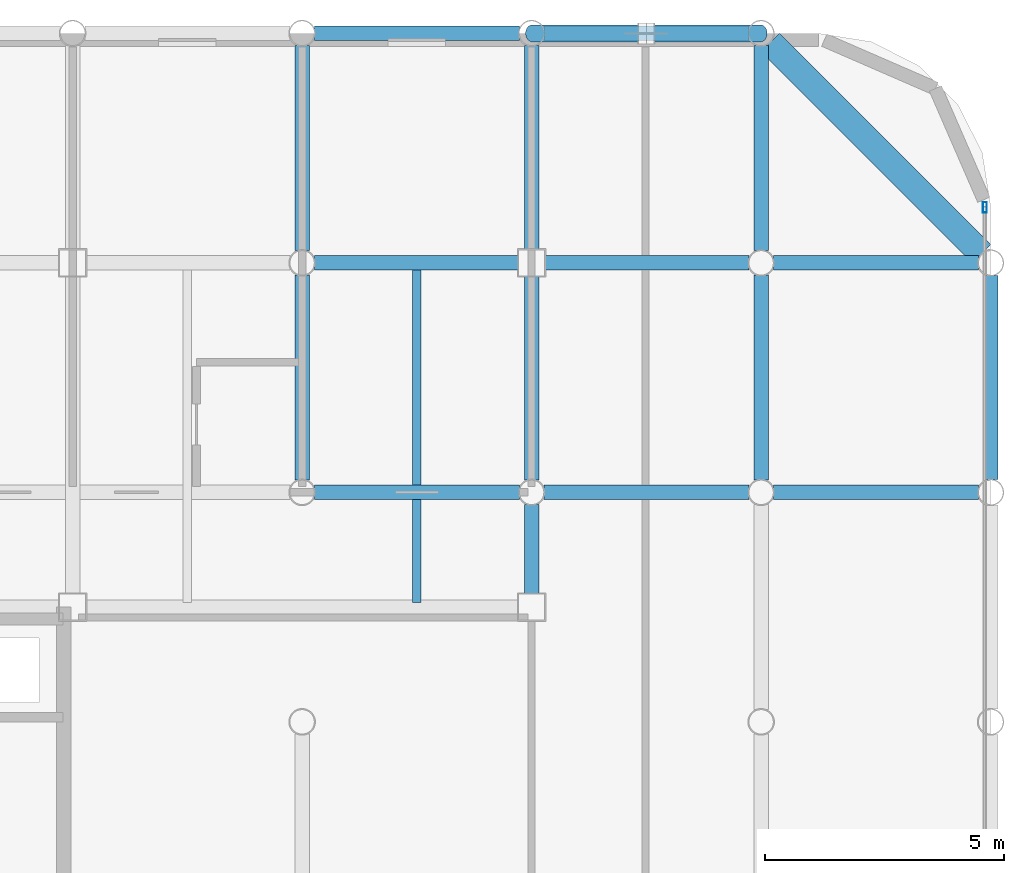
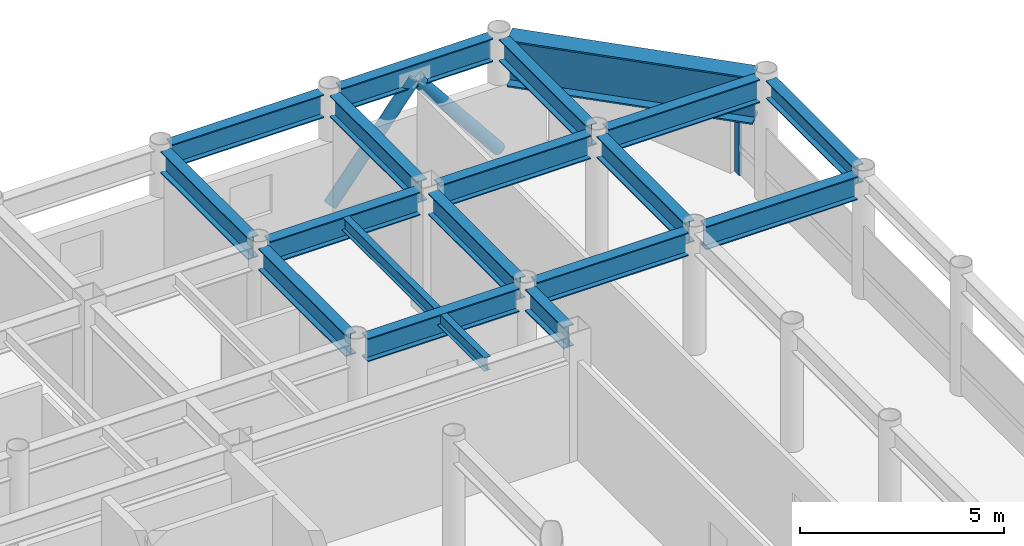
# One storey, part 15 of 21: 18 beams, 3 members, 1 element without a shape of its own.
"""IFC4 building model written with IfcOpenShell, lengths in metres."""

from ifc_helpers import new_model, si_unit, direction, frame, origin, origin_2d, place, context, subcontext, project, spatial, hollow_rectangle, hollow_circle, i_section, extrude, material, layer, layer_set, material_profile, profile_set, type_object, element, aggregate, save


model = new_model("IFC4")

# Units and contexts
model_context = context("Model", 3, precision=1e-05, world=origin(), true_north=direction((0.0, 1.0)))
body_context = subcontext(model_context, "Body", "Model", "MODEL_VIEW")
ifc_project = project(units=[si_unit("LENGTHUNIT", "METRE"), si_unit("AREAUNIT", "SQUARE_METRE"), si_unit("VOLUMEUNIT", "CUBIC_METRE"), si_unit("PLANEANGLEUNIT", "RADIAN"), si_unit("MASSUNIT", "GRAM", prefix="KILO")], contexts=[model_context])

# Site, building, storey
site_placement = place(None, origin())
site = spatial("IfcSite", under=ifc_project, at=site_placement, CompositionType="ELEMENT")
building_placement = place(site_placement, origin())
building = spatial("IfcBuilding", under=site, at=building_placement, Name="Kallvorn Hotel Tower", CompositionType="ELEMENT")
storey_placement = place(building_placement, frame((0.0, 0.0, 210.75)))
storey = spatial("IfcBuildingStorey", under=building, at=storey_placement, Name="L52", CompositionType="ELEMENT", Elevation=210.75)

# Beams
ifc_material_1 = material(Name="Structural steel S355JR", Category="steel")
ifc_material_profile_1 = material_profile(ifc_material_1, i_section(OverallWidth=0.300048828125, OverallDepth=0.550048828125, WebThickness=0.014892578125, FlangeThickness=0.029052734375, at=origin_2d()), Name="HE 550 B")
ifc_profile_set_1 = profile_set([ifc_material_profile_1], Name="Structural steel S355JR")
beam_type_1 = type_object("IfcBeamType", Name="BM_HE550B", PredefinedType="SPANDREL", material=ifc_profile_set_1)
beam_1_placement = place(storey_placement, frame((33.60009765625, 9.869384765625, 3.39501953125), z_axis=(0.0, 1.0, 0.0), x_axis=(-1.0, 0.0, 0.0)))
element("IfcBeam", 1, at=beam_1_placement, inside=storey, type_object=beam_type_1, Name="L53 Perimeter Spandrel 188", PredefinedType="SPANDREL", context=body_context, shape_type="SweptSolid", body=[
    extrude(i_section(OverallWidth=0.300048828125, OverallDepth=0.550048828125, WebThickness=0.014892578125, FlangeThickness=0.029052734375, at=origin_2d()), origin(), (0.0, 0.0, 1.0), 4.26123046875),
])
ifc_material_2 = material(Name="Structural steel S355JR", Category="steel")
ifc_material_profile_2 = material_profile(ifc_material_2, i_section(OverallWidth=0.300048828125, OverallDepth=0.64990234375, WebThickness=0.01611328125, FlangeThickness=0.031005859375, at=origin_2d()), Name="HE 650 B")
ifc_profile_set_2 = profile_set([ifc_material_profile_2], Name="Structural steel S355JR")
beam_type_2 = type_object("IfcBeamType", Name="BM_HE650B", PredefinedType="BEAM", material=ifc_profile_set_2)
for number, where, z_axis, x_axis, name in (
    (2, (19.199951171875, 9.8544921875, 3.344970703125), (0.0, 1.0, 0.0), (-1.0, 0.0, 0.0), "L53 Primary Y-Girder 133"),
    (3, (19.199951171875, 14.654541015625, 3.344970703125), (0.0, 1.0, 0.0), (-1.0, 0.0, 0.0), "L53 Primary Y-Girder 134"),
):
    element("IfcBeam", number, at=place(storey_placement, frame(where, z_axis=z_axis, x_axis=x_axis)), inside=storey, type_object=beam_type_2, Name=name, PredefinedType="BEAM", context=body_context, shape_type="SweptSolid", body=[
        extrude(i_section(OverallWidth=0.300048828125, OverallDepth=0.64990234375, WebThickness=0.01611328125, FlangeThickness=0.031005859375, at=origin_2d()), origin(), (0.0, 0.0, 1.0), 4.291015625),
    ])
beam_2_placement = place(storey_placement, frame((24.0, 7.47509765625, 3.344970703125), z_axis=(0.0, 1.0, 0.0), x_axis=(-1.0, 0.0, 0.0)))
element("IfcBeam", 4, at=beam_2_placement, inside=storey, type_object=beam_type_2, Name="L53 Primary Y-Girder 139", PredefinedType="BEAM", context=body_context, shape_type="SweptSolid", body=[
    extrude(i_section(OverallWidth=0.300048828125, OverallDepth=0.64990234375, WebThickness=0.01611328125, FlangeThickness=0.031005859375, at=origin_2d()), origin(), (0.0, 0.0, 1.0), 1.870361328125),
])
for number, where, z_axis, x_axis, name in (
    (5, (24.0, 9.8544921875, 3.344970703125), (0.0, 1.0, 0.0), (-1.0, 0.0, 0.0), "L53 Primary Y-Girder 140"),
    (6, (24.0, 14.675048828125, 3.344970703125), (0.0, 1.0, 0.0), (-1.0, 0.0, 0.0), "L53 Primary Y-Girder 141"),
):
    element("IfcBeam", number, at=place(storey_placement, frame(where, z_axis=z_axis, x_axis=x_axis)), inside=storey, type_object=beam_type_2, Name=name, PredefinedType="BEAM", context=body_context, shape_type="SweptSolid", body=[
        extrude(i_section(OverallWidth=0.300048828125, OverallDepth=0.64990234375, WebThickness=0.01611328125, FlangeThickness=0.031005859375, at=origin_2d()), origin(), (0.0, 0.0, 1.0), 4.2705078125),
    ])
for number, where, z_axis, x_axis, name in (
    (7, (28.800048828125, 9.8544921875, 3.344970703125), (0.0, 1.0, 0.0), (-1.0, 0.0, 0.0), "L53 Primary Y-Girder 149"),
    (8, (28.800048828125, 14.654541015625, 3.344970703125), (0.0, 1.0, 0.0), (-1.0, 0.0, 0.0), "L53 Primary Y-Girder 150"),
):
    element("IfcBeam", number, at=place(storey_placement, frame(where, z_axis=z_axis, x_axis=x_axis)), inside=storey, type_object=beam_type_2, Name=name, PredefinedType="BEAM", context=body_context, shape_type="SweptSolid", body=[
        extrude(i_section(OverallWidth=0.300048828125, OverallDepth=0.64990234375, WebThickness=0.01611328125, FlangeThickness=0.031005859375, at=origin_2d()), origin(), (0.0, 0.0, 1.0), 4.291015625),
    ])
ifc_material_3 = material(Name="Structural steel S355JR", Category="steel")
ifc_material_profile_3 = material_profile(ifc_material_3, i_section(OverallWidth=0.300048828125, OverallDepth=0.699951171875, WebThickness=0.01708984375, FlangeThickness=0.031982421875, at=origin_2d()), Name="HE 700 B")
ifc_profile_set_3 = profile_set([ifc_material_profile_3], Name="Structural steel S355JR")
beam_type_3 = type_object("IfcBeamType", Name="BM_HE700B", PredefinedType="BEAM", material=ifc_profile_set_3)
for number, where, z_axis, x_axis, name in (
    (9, (19.45458984375, 9.60009765625, 3.320068359375), (1.0, 0.0, 0.0), (0.0, 1.0, 0.0), "L53 Primary X-Girder 48"),
    (10, (24.25439453125, 9.60009765625, 3.320068359375), (1.0, 0.0, 0.0), (0.0, 1.0, 0.0), "L53 Primary X-Girder 49"),
    (11, (29.054443359375, 9.60009765625, 3.320068359375), (1.0, 0.0, 0.0), (0.0, 1.0, 0.0), "L53 Primary X-Girder 50"),
):
    element("IfcBeam", number, at=place(storey_placement, frame(where, z_axis=z_axis, x_axis=x_axis)), inside=storey, type_object=beam_type_3, Name=name, PredefinedType="BEAM", context=body_context, shape_type="SweptSolid", body=[
        extrude(i_section(OverallWidth=0.300048828125, OverallDepth=0.699951171875, WebThickness=0.01708984375, FlangeThickness=0.031982421875, at=origin_2d()), origin(), (0.0, 0.0, 1.0), 4.291015625),
    ])
for number, where, z_axis, x_axis, name in (
    (12, (19.45458984375, 14.39990234375, 3.320068359375), (1.0, 0.0, 0.0), (0.0, 1.0, 0.0), "L53 Primary X-Girder 58"),
    (13, (24.27490234375, 14.39990234375, 3.320068359375), (1.0, 0.0, 0.0), (0.0, 1.0, 0.0), "L53 Primary X-Girder 59"),
):
    element("IfcBeam", number, at=place(storey_placement, frame(where, z_axis=z_axis, x_axis=x_axis)), inside=storey, type_object=beam_type_3, Name=name, PredefinedType="BEAM", context=body_context, shape_type="SweptSolid", body=[
        extrude(i_section(OverallWidth=0.300048828125, OverallDepth=0.699951171875, WebThickness=0.01708984375, FlangeThickness=0.031982421875, at=origin_2d()), origin(), (0.0, 0.0, 1.0), 4.2705078125),
    ])
for number, where, z_axis, x_axis, name in (
    (14, (29.054443359375, 14.39990234375, 3.320068359375), (1.0, 0.0, 0.0), (0.0, 1.0, 0.0), "L53 Primary X-Girder 60"),
    (15, (19.45458984375, 19.199951171875, 3.320068359375), (1.0, 0.0, 0.0), (0.0, 1.0, 0.0), "L53 Primary X-Girder 71"),
    (16, (24.25439453125, 19.199951171875, 3.320068359375), (1.0, 0.0, 0.0), (0.0, 1.0, 0.0), "L53 Primary X-Girder 72"),
):
    element("IfcBeam", number, at=place(storey_placement, frame(where, z_axis=z_axis, x_axis=x_axis)), inside=storey, type_object=beam_type_3, Name=name, PredefinedType="BEAM", context=body_context, shape_type="SweptSolid", body=[
        extrude(i_section(OverallWidth=0.300048828125, OverallDepth=0.699951171875, WebThickness=0.01708984375, FlangeThickness=0.031982421875, at=origin_2d()), origin(), (0.0, 0.0, 1.0), 4.291015625),
    ])
ifc_material_4 = material(Name="Structural steel S355JR", Category="steel")
ifc_material_profile_4 = material_profile(ifc_material_4, i_section(OverallWidth=0.179931640625, OverallDepth=0.39990234375, WebThickness=0.008544921875, FlangeThickness=0.013427734375, at=origin_2d()), Name="IPE 400")
ifc_profile_set_4 = profile_set([ifc_material_profile_4], Name="Structural steel S355JR")
beam_type_4 = type_object("IfcBeamType", Name="BM_IPE400", PredefinedType="JOIST", material=ifc_profile_set_4)
beam_3_placement = place(storey_placement, frame((21.60009765625, 7.300048828125, 3.469970703125), z_axis=(0.0, 1.0, 0.0), x_axis=(-1.0, 0.0, 0.0)))
element("IfcBeam", 17, at=beam_3_placement, inside=storey, type_object=beam_type_4, Name="L53 Secondary Composite Joist 209", PredefinedType="JOIST", context=body_context, shape_type="SweptSolid", body=[
    extrude(i_section(OverallWidth=0.179931640625, OverallDepth=0.39990234375, WebThickness=0.008544921875, FlangeThickness=0.013427734375, at=origin_2d()), origin(), (0.0, 0.0, 1.0), 7.0),
])
ifc_material_5 = material(Name="Structural steel S355JR", Category="steel")
ifc_material_profile_5 = material_profile(ifc_material_5, i_section(OverallWidth=0.550048828125, OverallDepth=1.39990234375, WebThickness=0.02490234375, FlangeThickness=0.044921875, at=origin_2d()), Name="PG 1400x550x25x45")
ifc_profile_set_5 = profile_set([ifc_material_profile_5], Name="Structural steel S355JR")
beam_type_5 = type_object("IfcBeamType", Name="BM_PG_1400", PredefinedType="BEAM", material=ifc_profile_set_5)
beam_4_placement = place(storey_placement, frame((33.409423828125, 14.590576171875, 2.969970703125), z_axis=(-0.707106781187, 0.707106781187, 0.0), x_axis=(-0.707106781187, -0.707106781187, 0.0)))
element("IfcBeam", 18, at=beam_4_placement, inside=storey, type_object=beam_type_5, Name="L53 Rounded Corner Tie Beam 191", PredefinedType="BEAM", context=body_context, shape_type="SweptSolid", body=[
    extrude(i_section(OverallWidth=0.550048828125, OverallDepth=1.39990234375, WebThickness=0.02490234375, FlangeThickness=0.044921875, at=origin_2d()), origin(), (0.0, 0.0, 1.0), 6.249267578125),
])

# Curtain wall, member
ifc_material_6 = material(Name="Thermally broken black-anodised aluminium AA 6063-T6", Category="aluminium")
ifc_layer = layer(ifc_material_6, 0.22998046875)
ifc_layer_set = layer_set([ifc_layer], Name="CW_SYS_5_HOTEL_HIGH")
curtain_wall_type = type_object("IfcCurtainWallType", Name="CW_SYS_5_HOTEL_HIGH", PredefinedType="USERDEFINED", material=ifc_layer_set)
curtain_wall_placement = place(storey_placement, origin())
curtain_wall = element("IfcCurtainWall", 19, at=curtain_wall_placement, inside=storey, type_object=curtain_wall_type, Name="L52 Dark-Glass Curtain Wall CW-L52-EN", ObjectType="UNITISED CURTAIN WALL", PredefinedType="USERDEFINED")
ifc_material_7 = material(Name="Thermally broken black-anodised aluminium AA 6063-T6", Category="aluminium")
ifc_material_profile_6 = material_profile(ifc_material_7, hollow_rectangle(XDim=0.080078125, YDim=0.219970703125, WallThickness=0.0048828125, at=origin_2d()), Name="MUL 220x80")
ifc_profile_set_6 = profile_set([ifc_material_profile_6], Name="Thermally broken black-anodised aluminium AA 6063-T6")
member_type_1 = type_object("IfcMemberType", Name="CW_MULLION_220x80", PredefinedType="MULLION", material=ifc_profile_set_6)
member_placement = place(storey_placement, frame((33.47998046875, 15.56005859375, 0.02001953125), z_axis=(0.0, 0.0, 1.0), x_axis=(1.0, 0.0, 0.0)))
member = element("IfcMember", 20, at=member_placement, type_object=member_type_1, Name="CW-L52-EN Mullion 01", PredefinedType="MULLION", context=body_context, shape_type="SweptSolid", body=[
    extrude(hollow_rectangle(XDim=0.080078125, YDim=0.219970703125, WallThickness=0.0048828125, at=origin_2d()), origin(), (0.0, 0.0, 1.0), 2.22998046875),
])
aggregate(curtain_wall, [member])

# Members
ifc_material_8 = material(Name="Structural steel S355J2H", Category="steel")
ifc_material_profile_7 = material_profile(ifc_material_8, hollow_circle(Radius=0.177734375, WallThickness=0.01416015625, at=origin_2d()), Name="CHS 355.6x14.2")
ifc_profile_set_7 = profile_set([ifc_material_profile_7], Name="Structural steel S355J2H")
member_type_2 = type_object("IfcMemberType", Name="MBR_EXO_CHS355", PredefinedType="BRACE", material=ifc_profile_set_7)
for number, where, z_axis, x_axis, name in (
    (21, (24.012451171875, 19.199951171875, 0.195556640625), (0.627270878626, 0.0, 0.778801158722), (0.0, 1.0, 0.0), "L52 Exoskeleton K-Brace N2A"),
    (22, (28.78759765625, 19.199951171875, 0.195556640625), (-0.627270878626, 0.0, 0.778801158722), (0.0, -1.0, 0.0), "L52 Exoskeleton K-Brace N2B"),
):
    element("IfcMember", number, at=place(storey_placement, frame(where, z_axis=z_axis, x_axis=x_axis)), inside=storey, type_object=member_type_2, Name=name, PredefinedType="BRACE", context=body_context, shape_type="SweptSolid", body=[
        extrude(hollow_circle(Radius=0.177734375, WallThickness=0.01416015625, at=origin_2d()), origin(), (0.0, 0.0, 1.0), 3.7861328125),
    ])

save(model, "model.ifc")
